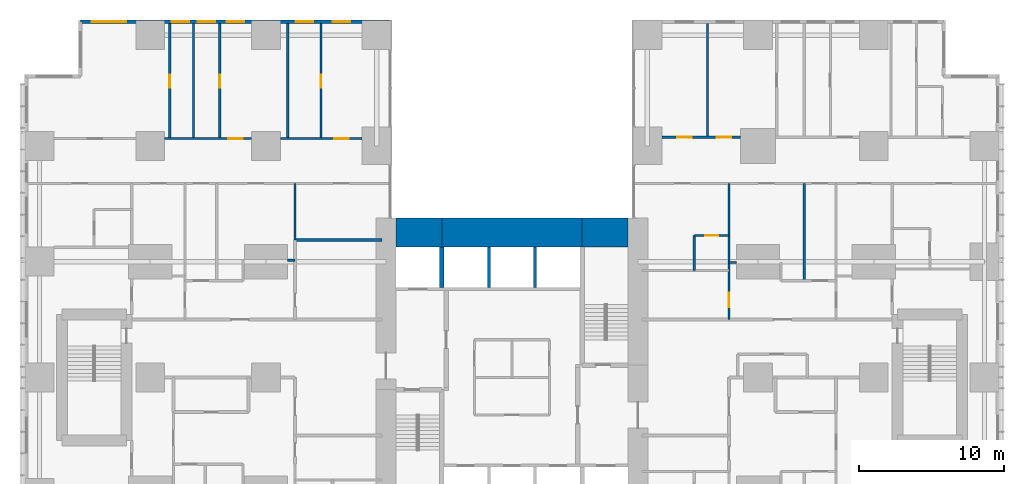
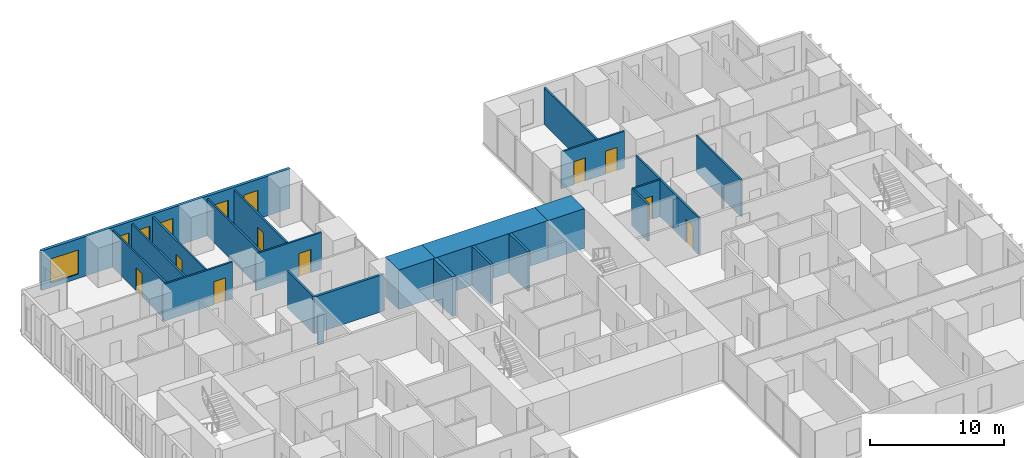
# One storey, part 17 of 20: 24 walls, 9 doors, 6 windows, 15 openings.
"""IFC4 building model written with IfcOpenShell, lengths in metres."""

from ifc_helpers import new_model, si_unit, direction, frame, frame_2d, origin, place, context, subcontext, project, spatial, rectangle, extrude, material, layer, layer_set, type_object, element, fill, save


model = new_model("IFC4")

# Units and contexts
model_context = context("Model", 3, precision=1e-05, world=origin(), true_north=direction((0.0, 1.0)))
body_context = subcontext(model_context, "Body", "Model", "MODEL_VIEW")
ifc_project = project(units=[si_unit("LENGTHUNIT", "METRE"), si_unit("AREAUNIT", "SQUARE_METRE"), si_unit("VOLUMEUNIT", "CUBIC_METRE"), si_unit("PLANEANGLEUNIT", "RADIAN"), si_unit("MASSUNIT", "GRAM", prefix="KILO")], contexts=[model_context])

# Site, building, storey
site_placement = place(None, origin())
site = spatial("IfcSite", under=ifc_project, at=site_placement, CompositionType="ELEMENT")
building_placement = place(site_placement, origin())
building = spatial("IfcBuilding", under=site, at=building_placement, Name="Cleftline Residences", CompositionType="ELEMENT")
storey_placement = place(building_placement, frame((0.0, 0.0, 164.60009765625)))
storey = spatial("IfcBuildingStorey", under=building, at=storey_placement, Name="L43", CompositionType="ELEMENT", Elevation=164.60009765625)

# Walls
ifc_material_1 = material(Name="Concrete B70", Category="concrete")
ifc_layer_1 = layer(ifc_material_1, 2.0)
ifc_layer_set_1 = layer_set([ifc_layer_1], Name="CORE WALL 2000")
wall_type_1 = type_object("IfcWallType", Name="CORE WALL 2000", PredefinedType="SHEAR", material=ifc_layer_set_1)
wall_1_placement = place(storey_placement, frame((25.0, 34.0, 0.0), z_axis=(0.0, 0.0, 1.0), x_axis=(1.0, 0.0, 0.0)))
element("IfcWall", 1, at=wall_1_placement, inside=storey, type_object=wall_type_1, Name="Core wall N1", PredefinedType="SHEAR", context=body_context, shape_type="SweptSolid", body=[
    extrude(rectangle(XDim=3.14990234375, YDim=2.0, at=frame_2d((1.574951171875, 0.0))), origin(), (0.0, 0.0, 1.0), 3.599853515625),
])
wall_2_placement = place(storey_placement, frame((28.14990234375, 34.0, 0.0), z_axis=(0.0, 0.0, 1.0), x_axis=(1.0, 0.0, 0.0)))
element("IfcWall", 2, at=wall_2_placement, inside=storey, type_object=wall_type_1, Name="Core wall N2", PredefinedType="SHEAR", context=body_context, shape_type="SweptSolid", body=[
    extrude(rectangle(XDim=9.7001953125, YDim=2.0, at=frame_2d((4.85009765625, 0.0))), origin(), (0.0, 0.0, 1.0), 3.599853515625),
])
wall_3_placement = place(storey_placement, frame((37.85009765625, 34.0, 0.0), z_axis=(0.0, 0.0, 1.0), x_axis=(1.0, 0.0, 0.0)))
element("IfcWall", 3, at=wall_3_placement, inside=storey, type_object=wall_type_1, Name="Core wall N3", PredefinedType="SHEAR", context=body_context, shape_type="SweptSolid", body=[
    extrude(rectangle(XDim=3.14990234375, YDim=2.0, at=frame_2d((1.574951171875, 0.0))), origin(), (0.0, 0.0, 1.0), 3.599853515625),
])
ifc_material_2 = material(Name="Concrete B70", Category="concrete")
ifc_layer_2 = layer(ifc_material_2, 0.300048828125)
ifc_layer_set_2 = layer_set([ifc_layer_2], Name="CORE WALL 300")
wall_type_2 = type_object("IfcWallType", Name="CORE WALL 300", PredefinedType="SHEAR", material=ifc_layer_set_2)
wall_4_placement = place(storey_placement, frame((28.14990234375, 30.199951171875, 0.0), z_axis=(0.0, 0.0, 1.0), x_axis=(0.0, 1.0, 0.0)))
element("IfcWall", 4, at=wall_4_placement, inside=storey, type_object=wall_type_2, Name="Lift shaft wall", PredefinedType="SHEAR", context=body_context, shape_type="SweptSolid", body=[
    extrude(rectangle(XDim=2.800048828125, YDim=0.300048828125, at=frame_2d((1.39990234375, 0.0))), origin(), (0.0, 0.0, 1.0), 3.599853515625),
])

# Wall, openings, windows
ifc_material_3 = material(Name="Rendered reinforced concrete blockwork", Category="masonry")
ifc_layer_3 = layer(ifc_material_3, 0.25)
ifc_layer_set_3 = layer_set([ifc_layer_3], Name="EXTERNAL WALL 250")
wall_type_3 = type_object("IfcWallType", Name="EXTERNAL WALL 250", PredefinedType="SOLIDWALL", material=ifc_layer_set_3)
wall_5_placement = place(storey_placement, frame((24.574951171875, 48.574951171875, 0.0), z_axis=(0.0, 0.0, 1.0), x_axis=(-1.0, 0.0, 0.0)))
wall_5 = element("IfcWall", 5, at=wall_5_placement, inside=storey, type_object=wall_type_3, Name="External wall", PredefinedType="SOLIDWALL", context=body_context, shape_type="SweptSolid", body=[
    extrude(rectangle(XDim=21.39990234375, YDim=0.25, at=frame_2d((10.699951171875, 0.0))), origin(), (0.0, 0.0, 1.0), 3.599853515625),
])
opening_1_placement = place(wall_5_placement, frame((2.75, 0.0, 0.39990234375)))
opening_1 = element("IfcOpeningElement", 6, at=opening_1_placement, cuts=wall_5, Name="Opening W11", PredefinedType="OPENING", context=body_context, shape_type="SweptSolid", body=[
    extrude(rectangle(XDim=1.199951171875, YDim=2.199951171875, at=frame_2d((0.60009765625, 1.10009765625))), frame((0.0, 0.135009765625, 0.0), z_axis=(0.0, -1.0, 0.0), x_axis=(1.0, 0.0, 0.0)), (0.0, 0.0, 1.0), 0.27001953125),
])
opening_2_placement = place(wall_5_placement, frame((5.324951171875, 0.0, 0.39990234375)))
opening_2 = element("IfcOpeningElement", 7, at=opening_2_placement, cuts=wall_5, Name="Opening W11", PredefinedType="OPENING", context=body_context, shape_type="SweptSolid", body=[
    extrude(rectangle(XDim=1.199951171875, YDim=2.199951171875, at=frame_2d((0.60009765625, 1.10009765625))), frame((0.0, 0.135009765625, 0.0), z_axis=(0.0, -1.0, 0.0), x_axis=(1.0, 0.0, 0.0)), (0.0, 0.0, 1.0), 0.27001953125),
])
opening_3_placement = place(wall_5_placement, frame((10.074951171875, 0.0, 0.39990234375)))
opening_3 = element("IfcOpeningElement", 8, at=opening_3_placement, cuts=wall_5, Name="Opening W11", PredefinedType="OPENING", context=body_context, shape_type="SweptSolid", body=[
    extrude(rectangle(XDim=1.199951171875, YDim=2.199951171875, at=frame_2d((0.60009765625, 1.10009765625))), frame((0.0, 0.135009765625, 0.0), z_axis=(0.0, -1.0, 0.0), x_axis=(1.0, 0.0, 0.0)), (0.0, 0.0, 1.0), 0.27001953125),
])
opening_4_placement = place(wall_5_placement, frame((12.074951171875, 0.0, 0.39990234375)))
opening_4 = element("IfcOpeningElement", 9, at=opening_4_placement, cuts=wall_5, Name="Opening W11", PredefinedType="OPENING", context=body_context, shape_type="SweptSolid", body=[
    extrude(rectangle(XDim=1.199951171875, YDim=2.199951171875, at=frame_2d((0.60009765625, 1.10009765625))), frame((0.0, 0.135009765625, 0.0), z_axis=(0.0, -1.0, 0.0), x_axis=(1.0, 0.0, 0.0)), (0.0, 0.0, 1.0), 0.27001953125),
])
opening_5_placement = place(wall_5_placement, frame((13.875, 0.0, 0.39990234375)))
opening_5 = element("IfcOpeningElement", 10, at=opening_5_placement, cuts=wall_5, Name="Opening W11", PredefinedType="OPENING", context=body_context, shape_type="SweptSolid", body=[
    extrude(rectangle(XDim=1.199951171875, YDim=2.199951171875, at=frame_2d((0.60009765625, 1.10009765625))), frame((0.0, 0.135009765625, 0.0), z_axis=(0.0, -1.0, 0.0), x_axis=(1.0, 0.0, 0.0)), (0.0, 0.0, 1.0), 0.27001953125),
])
opening_6_placement = place(wall_5_placement, frame((18.22509765625, 0.0, 0.39990234375)))
opening_6 = element("IfcOpeningElement", 11, at=opening_6_placement, cuts=wall_5, Name="Opening W12", PredefinedType="OPENING", context=body_context, shape_type="SweptSolid", body=[
    extrude(rectangle(XDim=2.39990234375, YDim=2.199951171875, at=frame_2d((1.199951171875, 1.10009765625))), frame((0.0, 0.135009765625, 0.0), z_axis=(0.0, -1.0, 0.0), x_axis=(1.0, 0.0, 0.0)), (0.0, 0.0, 1.0), 0.27001953125),
])
ifc_material_4 = material(Name="Aluminium frame, clear double glazing", Category="aluminium")
window_type_1 = type_object("IfcWindowType", Name="WINDOW 1200X2200", PartitioningType="DOUBLE_PANEL_VERTICAL", PredefinedType="WINDOW", material=ifc_material_4)
window_1_placement = place(opening_1_placement, origin())
window_1 = element("IfcWindow", 12, at=window_1_placement, inside=storey, type_object=window_type_1, Name="Window", OverallHeight=2.199951171875, OverallWidth=1.199951171875, PartitioningType="SINGLE_PANEL", PredefinedType="WINDOW", context=body_context, shape_type="SweptSolid", body=[
    extrude(rectangle(XDim=1.199951171875, YDim=2.199951171875, at=frame_2d((0.60009765625, 1.10009765625))), frame((0.0, 0.030029296875, 0.0), z_axis=(0.0, -1.0, 0.0), x_axis=(1.0, 0.0, 0.0)), (0.0, 0.0, 1.0), 0.06005859375),
])
fill(opening_1, window_1)
window_2_placement = place(opening_2_placement, origin())
window_2 = element("IfcWindow", 13, at=window_2_placement, inside=storey, type_object=window_type_1, Name="Window", OverallHeight=2.199951171875, OverallWidth=1.199951171875, PartitioningType="SINGLE_PANEL", PredefinedType="WINDOW", context=body_context, shape_type="SweptSolid", body=[
    extrude(rectangle(XDim=1.199951171875, YDim=2.199951171875, at=frame_2d((0.60009765625, 1.10009765625))), frame((0.0, 0.030029296875, 0.0), z_axis=(0.0, -1.0, 0.0), x_axis=(1.0, 0.0, 0.0)), (0.0, 0.0, 1.0), 0.06005859375),
])
fill(opening_2, window_2)
window_3_placement = place(opening_3_placement, origin())
window_3 = element("IfcWindow", 14, at=window_3_placement, inside=storey, type_object=window_type_1, Name="Window", OverallHeight=2.199951171875, OverallWidth=1.199951171875, PartitioningType="SINGLE_PANEL", PredefinedType="WINDOW", context=body_context, shape_type="SweptSolid", body=[
    extrude(rectangle(XDim=1.199951171875, YDim=2.199951171875, at=frame_2d((0.60009765625, 1.10009765625))), frame((0.0, 0.030029296875, 0.0), z_axis=(0.0, -1.0, 0.0), x_axis=(1.0, 0.0, 0.0)), (0.0, 0.0, 1.0), 0.06005859375),
])
fill(opening_3, window_3)
window_4_placement = place(opening_4_placement, origin())
window_4 = element("IfcWindow", 15, at=window_4_placement, inside=storey, type_object=window_type_1, Name="Window", OverallHeight=2.199951171875, OverallWidth=1.199951171875, PartitioningType="SINGLE_PANEL", PredefinedType="WINDOW", context=body_context, shape_type="SweptSolid", body=[
    extrude(rectangle(XDim=1.199951171875, YDim=2.199951171875, at=frame_2d((0.60009765625, 1.10009765625))), frame((0.0, 0.030029296875, 0.0), z_axis=(0.0, -1.0, 0.0), x_axis=(1.0, 0.0, 0.0)), (0.0, 0.0, 1.0), 0.06005859375),
])
fill(opening_4, window_4)
window_5_placement = place(opening_5_placement, origin())
window_5 = element("IfcWindow", 16, at=window_5_placement, inside=storey, type_object=window_type_1, Name="Window", OverallHeight=2.199951171875, OverallWidth=1.199951171875, PartitioningType="SINGLE_PANEL", PredefinedType="WINDOW", context=body_context, shape_type="SweptSolid", body=[
    extrude(rectangle(XDim=1.199951171875, YDim=2.199951171875, at=frame_2d((0.60009765625, 1.10009765625))), frame((0.0, 0.030029296875, 0.0), z_axis=(0.0, -1.0, 0.0), x_axis=(1.0, 0.0, 0.0)), (0.0, 0.0, 1.0), 0.06005859375),
])
fill(opening_5, window_5)
ifc_material_5 = material(Name="Aluminium frame, clear double glazing", Category="aluminium")
window_type_2 = type_object("IfcWindowType", Name="WINDOW 2400X2200", PartitioningType="DOUBLE_PANEL_VERTICAL", PredefinedType="WINDOW", material=ifc_material_5)
window_6_placement = place(opening_6_placement, origin())
window_6 = element("IfcWindow", 17, at=window_6_placement, inside=storey, type_object=window_type_2, Name="Window", OverallHeight=2.199951171875, OverallWidth=2.39990234375, PartitioningType="SINGLE_PANEL", PredefinedType="WINDOW", context=body_context, shape_type="SweptSolid", body=[
    extrude(rectangle(XDim=2.39990234375, YDim=2.199951171875, at=frame_2d((1.199951171875, 1.10009765625))), frame((0.0, 0.030029296875, 0.0), z_axis=(0.0, -1.0, 0.0), x_axis=(1.0, 0.0, 0.0)), (0.0, 0.0, 1.0), 0.06005859375),
])
fill(opening_6, window_6)

# Walls
ifc_material_6 = material(Name="Concrete blockwork, fire rated", Category="masonry")
ifc_layer_4 = layer(ifc_material_6, 0.199951171875)
ifc_layer_set_4 = layer_set([ifc_layer_4], Name="FIRE WALL 200")
wall_type_4 = type_object("IfcWallType", Name="FIRE WALL 200", PredefinedType="PARTITIONING", material=ifc_layer_set_4)
wall_6_placement = place(storey_placement, frame((18.0, 33.5, 0.0), z_axis=(0.0, 0.0, 1.0), x_axis=(1.0, 0.0, 0.0)))
element("IfcWall", 18, at=wall_6_placement, inside=storey, type_object=wall_type_4, Name="Fire separating wall", PredefinedType="PARTITIONING", context=body_context, shape_type="SweptSolid", body=[
    extrude(rectangle(XDim=6.0, YDim=0.199951171875, at=frame_2d((3.0, 0.0))), origin(), (0.0, 0.0, 1.0), 3.349853515625),
])
ifc_material_7 = material(Name="Gypsum board on steel studs", Category="steel")
ifc_layer_5 = layer(ifc_material_7, 0.14990234375)
ifc_layer_set_5 = layer_set([ifc_layer_5], Name="PARTITION 150")
wall_type_5 = type_object("IfcWallType", Name="PARTITION 150", PredefinedType="PARTITIONING", material=ifc_layer_set_5)
for number, where, z_axis, x_axis, name in (
    (19, (48.0, 31.949951171875, 0.0), (0.0, 0.0, 1.0), (1.0, 0.0, 0.0), "Partition"),
    (20, (17.5, 32.10009765625, 0.0), (0.0, 0.0, 1.0), (1.0, 0.0, 0.0), "Partition"),
):
    element("IfcWall", number, at=place(storey_placement, frame(where, z_axis=z_axis, x_axis=x_axis)), inside=storey, type_object=wall_type_5, Name=name, PredefinedType="PARTITIONING", context=body_context, shape_type="SweptSolid", body=[
        extrude(rectangle(XDim=0.5, YDim=0.14990234375, at=frame_2d((0.25, 0.0))), origin(), (0.0, 0.0, 1.0), 2.6337890625),
    ])

# Wall, opening, door
wall_7_placement = place(storey_placement, frame((45.60009765625, 33.800048828125, 0.0), z_axis=(0.0, 0.0, 1.0), x_axis=(1.0, 0.0, 0.0)))
wall_7 = element("IfcWall", 21, at=wall_7_placement, inside=storey, type_object=wall_type_5, Name="Partition", PredefinedType="PARTITIONING", context=body_context, shape_type="SweptSolid", body=[
    extrude(rectangle(XDim=2.39990234375, YDim=0.14990234375, at=frame_2d((1.199951171875, 0.0))), origin(), (0.0, 0.0, 1.0), 3.349853515625),
])
opening_7_placement = place(wall_7_placement, frame((0.75, 0.0, 0.0)))
opening_7 = element("IfcOpeningElement", 22, at=opening_7_placement, cuts=wall_7, Name="Opening D1", PredefinedType="OPENING", context=body_context, shape_type="SweptSolid", body=[
    extrude(rectangle(XDim=0.89990234375, YDim=2.10009765625, at=frame_2d((0.449951171875, 1.050048828125))), frame((0.0, 0.0849609375, 0.0), z_axis=(0.0, -1.0, 0.0), x_axis=(1.0, 0.0, 0.0)), (0.0, 0.0, 1.0), 0.169921875),
])
ifc_material_8 = material(Name="Timber veneer on solid core", Category="wood")
door_type_1 = type_object("IfcDoorType", Name="DOOR 900X2100", OperationType="SINGLE_SWING_LEFT", PredefinedType="DOOR", material=ifc_material_8)
door_1_placement = place(opening_7_placement, origin())
door_1 = element("IfcDoor", 23, at=door_1_placement, inside=storey, type_object=door_type_1, Name="Door to staff shower room", OperationType="SINGLE_SWING_LEFT", OverallHeight=2.10009765625, OverallWidth=0.89990234375, PredefinedType="DOOR", context=body_context, shape_type="SweptSolid", body=[
    extrude(rectangle(XDim=0.89990234375, YDim=2.10009765625, at=frame_2d((0.449951171875, 1.050048828125))), frame((0.0, 0.02490234375, 0.0), z_axis=(0.0, -1.0, 0.0), x_axis=(1.0, 0.0, 0.0)), (0.0, 0.0, 1.0), 0.050048828125),
])
fill(opening_7, door_1)

wall_8_placement = place(storey_placement, frame((9.0, 40.5, 0.0), z_axis=(0.0, 0.0, 1.0), x_axis=(1.0, 0.0, 0.0)))
wall_8 = element("IfcWall", 24, at=wall_8_placement, inside=storey, type_object=wall_type_5, Name="Partition", PredefinedType="PARTITIONING", context=body_context, shape_type="SweptSolid", body=[
    extrude(rectangle(XDim=6.0, YDim=0.14990234375, at=frame_2d((3.0, 0.0))), origin(), (0.0, 0.0, 1.0), 3.349853515625),
])
opening_8_placement = place(wall_8_placement, frame((4.39990234375, 0.0, 0.0)))
opening_8 = element("IfcOpeningElement", 25, at=opening_8_placement, cuts=wall_8, Name="Opening D2", PredefinedType="OPENING", context=body_context, shape_type="SweptSolid", body=[
    extrude(rectangle(XDim=1.0, YDim=2.10009765625, at=frame_2d((0.5, 1.050048828125))), frame((0.0, 0.0849609375, 0.0), z_axis=(0.0, -1.0, 0.0), x_axis=(1.0, 0.0, 0.0)), (0.0, 0.0, 1.0), 0.169921875),
])
ifc_material_9 = material(Name="Timber veneer on solid core", Category="wood")
door_type_2 = type_object("IfcDoorType", Name="DOOR 1000X2100", OperationType="SINGLE_SWING_LEFT", PredefinedType="DOOR", material=ifc_material_9)
door_2_placement = place(opening_8_placement, origin())
door_2 = element("IfcDoor", 26, at=door_2_placement, inside=storey, type_object=door_type_2, Name="Door to bedroom 2", OperationType="SINGLE_SWING_LEFT", OverallHeight=2.10009765625, OverallWidth=1.0, PredefinedType="DOOR", context=body_context, shape_type="SweptSolid", body=[
    extrude(rectangle(XDim=1.0, YDim=2.10009765625, at=frame_2d((0.5, 1.050048828125))), frame((0.0, 0.02490234375, 0.0), z_axis=(0.0, -1.0, 0.0), x_axis=(1.0, 0.0, 0.0)), (0.0, 0.0, 1.0), 0.050048828125),
])
fill(opening_8, door_2)

wall_9_placement = place(storey_placement, frame((17.0, 40.5, 0.0), z_axis=(0.0, 0.0, 1.0), x_axis=(1.0, 0.0, 0.0)))
wall_9 = element("IfcWall", 27, at=wall_9_placement, inside=storey, type_object=wall_type_5, Name="Partition", PredefinedType="PARTITIONING", context=body_context, shape_type="SweptSolid", body=[
    extrude(rectangle(XDim=5.64990234375, YDim=0.14990234375, at=frame_2d((2.824951171875, 0.0))), origin(), (0.0, 0.0, 1.0), 3.349853515625),
])
opening_9_placement = place(wall_9_placement, frame((3.72509765625, 0.0, 0.0)))
opening_9 = element("IfcOpeningElement", 28, at=opening_9_placement, cuts=wall_9, Name="Opening D2", PredefinedType="OPENING", context=body_context, shape_type="SweptSolid", body=[
    extrude(rectangle(XDim=1.0, YDim=2.10009765625, at=frame_2d((0.5, 1.050048828125))), frame((0.0, 0.0849609375, 0.0), z_axis=(0.0, -1.0, 0.0), x_axis=(1.0, 0.0, 0.0)), (0.0, 0.0, 1.0), 0.169921875),
])
door_3_placement = place(opening_9_placement, origin())
door_3 = element("IfcDoor", 29, at=door_3_placement, inside=storey, type_object=door_type_2, Name="Door to bedroom 3", OperationType="SINGLE_SWING_LEFT", OverallHeight=2.10009765625, OverallWidth=1.0, PredefinedType="DOOR", context=body_context, shape_type="SweptSolid", body=[
    extrude(rectangle(XDim=1.0, YDim=2.10009765625, at=frame_2d((0.5, 1.050048828125))), frame((0.0, 0.02490234375, 0.0), z_axis=(0.0, -1.0, 0.0), x_axis=(1.0, 0.0, 0.0)), (0.0, 0.0, 1.0), 0.050048828125),
])
fill(opening_9, door_3)

# Wall, openings, doors
wall_10_placement = place(storey_placement, frame((43.35009765625, 40.60009765625, 0.0), z_axis=(0.0, 0.0, 1.0), x_axis=(1.0, 0.0, 0.0)))
wall_10 = element("IfcWall", 30, at=wall_10_placement, inside=storey, type_object=wall_type_5, Name="Partition", PredefinedType="PARTITIONING", context=body_context, shape_type="SweptSolid", body=[
    extrude(rectangle(XDim=5.449951171875, YDim=0.14990234375, at=frame_2d((2.72509765625, 0.0))), origin(), (0.0, 0.0, 1.0), 3.349853515625),
])
opening_10_placement = place(wall_10_placement, frame((3.800048828125, 0.0, 0.0)))
opening_10 = element("IfcOpeningElement", 31, at=opening_10_placement, cuts=wall_10, Name="Opening D2", PredefinedType="OPENING", context=body_context, shape_type="SweptSolid", body=[
    extrude(rectangle(XDim=1.0, YDim=2.10009765625, at=frame_2d((0.5, 1.050048828125))), frame((0.0, 0.0849609375, 0.0), z_axis=(0.0, -1.0, 0.0), x_axis=(1.0, 0.0, 0.0)), (0.0, 0.0, 1.0), 0.169921875),
])
opening_11_placement = place(wall_10_placement, frame((1.074951171875, 0.0, 0.0)))
opening_11 = element("IfcOpeningElement", 32, at=opening_11_placement, cuts=wall_10, Name="Opening D2", PredefinedType="OPENING", context=body_context, shape_type="SweptSolid", body=[
    extrude(rectangle(XDim=1.0, YDim=2.10009765625, at=frame_2d((0.5, 1.050048828125))), frame((0.0, 0.0849609375, 0.0), z_axis=(0.0, -1.0, 0.0), x_axis=(1.0, 0.0, 0.0)), (0.0, 0.0, 1.0), 0.169921875),
])
door_4_placement = place(opening_10_placement, origin())
door_4 = element("IfcDoor", 33, at=door_4_placement, inside=storey, type_object=door_type_2, Name="Door to bedroom 4", OperationType="SINGLE_SWING_LEFT", OverallHeight=2.10009765625, OverallWidth=1.0, PredefinedType="DOOR", context=body_context, shape_type="SweptSolid", body=[
    extrude(rectangle(XDim=1.0, YDim=2.10009765625, at=frame_2d((0.5, 1.050048828125))), frame((0.0, 0.02490234375, 0.0), z_axis=(0.0, -1.0, 0.0), x_axis=(1.0, 0.0, 0.0)), (0.0, 0.0, 1.0), 0.050048828125),
])
fill(opening_10, door_4)
door_5_placement = place(opening_11_placement, origin())
door_5 = element("IfcDoor", 34, at=door_5_placement, inside=storey, type_object=door_type_2, Name="Door to bedroom 4 sitting room", OperationType="SINGLE_SWING_RIGHT", OverallHeight=2.10009765625, OverallWidth=1.0, PredefinedType="DOOR", context=body_context, shape_type="SweptSolid", body=[
    extrude(rectangle(XDim=1.0, YDim=2.10009765625, at=frame_2d((0.5, 1.050048828125))), frame((0.0, 0.02490234375, 0.0), z_axis=(0.0, -1.0, 0.0), x_axis=(1.0, 0.0, 0.0)), (0.0, 0.0, 1.0), 0.050048828125),
])
fill(opening_11, door_5)

# Wall, opening, door
wall_11_placement = place(storey_placement, frame((9.35009765625, 40.5, 0.0), z_axis=(0.0, 0.0, 1.0), x_axis=(0.0, 1.0, 0.0)))
wall_11 = element("IfcWall", 35, at=wall_11_placement, inside=storey, type_object=wall_type_5, Name="Partition", PredefinedType="PARTITIONING", context=body_context, shape_type="SweptSolid", body=[
    extrude(rectangle(XDim=7.949951171875, YDim=0.14990234375, at=frame_2d((3.97509765625, 0.0))), origin(), (0.0, 0.0, 1.0), 3.349853515625),
])
opening_12_placement = place(wall_11_placement, frame((3.52490234375, 0.0, 0.0)))
opening_12 = element("IfcOpeningElement", 36, at=opening_12_placement, cuts=wall_11, Name="Opening D1", PredefinedType="OPENING", context=body_context, shape_type="SweptSolid", body=[
    extrude(rectangle(XDim=0.89990234375, YDim=2.10009765625, at=frame_2d((0.449951171875, 1.050048828125))), frame((0.0, 0.0849609375, 0.0), z_axis=(0.0, -1.0, 0.0), x_axis=(1.0, 0.0, 0.0)), (0.0, 0.0, 1.0), 0.169921875),
])
door_6_placement = place(opening_12_placement, origin())
door_6 = element("IfcDoor", 37, at=door_6_placement, inside=storey, type_object=door_type_1, Name="Door to store room", OperationType="SINGLE_SWING_LEFT", OverallHeight=2.10009765625, OverallWidth=0.89990234375, PredefinedType="DOOR", context=body_context, shape_type="SweptSolid", body=[
    extrude(rectangle(XDim=0.89990234375, YDim=2.10009765625, at=frame_2d((0.449951171875, 1.050048828125))), frame((0.0, 0.02490234375, 0.0), z_axis=(0.0, -1.0, 0.0), x_axis=(1.0, 0.0, 0.0)), (0.0, 0.0, 1.0), 0.050048828125),
])
fill(opening_12, door_6)

# Wall
wall_12_placement = place(storey_placement, frame((11.0, 40.5, 0.0), z_axis=(0.0, 0.0, 1.0), x_axis=(0.0, 1.0, 0.0)))
element("IfcWall", 38, at=wall_12_placement, inside=storey, type_object=wall_type_5, Name="Partition", PredefinedType="PARTITIONING", context=body_context, shape_type="SweptSolid", body=[
    extrude(rectangle(XDim=7.949951171875, YDim=0.14990234375, at=frame_2d((3.97509765625, 0.0))), origin(), (0.0, 0.0, 1.0), 3.349853515625),
])

# Wall, opening, door
wall_13_placement = place(storey_placement, frame((12.800048828125, 40.5, 0.0), z_axis=(0.0, 0.0, 1.0), x_axis=(0.0, 1.0, 0.0)))
wall_13 = element("IfcWall", 39, at=wall_13_placement, inside=storey, type_object=wall_type_5, Name="Partition", PredefinedType="PARTITIONING", context=body_context, shape_type="SweptSolid", body=[
    extrude(rectangle(XDim=7.949951171875, YDim=0.14990234375, at=frame_2d((3.97509765625, 0.0))), origin(), (0.0, 0.0, 1.0), 3.349853515625),
])
opening_13_placement = place(wall_13_placement, frame((3.52490234375, 0.0, 0.0)))
opening_13 = element("IfcOpeningElement", 40, at=opening_13_placement, cuts=wall_13, Name="Opening D1", PredefinedType="OPENING", context=body_context, shape_type="SweptSolid", body=[
    extrude(rectangle(XDim=0.89990234375, YDim=2.10009765625, at=frame_2d((0.449951171875, 1.050048828125))), frame((0.0, 0.0849609375, 0.0), z_axis=(0.0, -1.0, 0.0), x_axis=(1.0, 0.0, 0.0)), (0.0, 0.0, 1.0), 0.169921875),
])
door_7_placement = place(opening_13_placement, origin())
door_7 = element("IfcDoor", 41, at=door_7_placement, inside=storey, type_object=door_type_1, Name="Door to en-suite bathroom 2", OperationType="SINGLE_SWING_LEFT", OverallHeight=2.10009765625, OverallWidth=0.89990234375, PredefinedType="DOOR", context=body_context, shape_type="SweptSolid", body=[
    extrude(rectangle(XDim=0.89990234375, YDim=2.10009765625, at=frame_2d((0.449951171875, 1.050048828125))), frame((0.0, 0.02490234375, 0.0), z_axis=(0.0, -1.0, 0.0), x_axis=(1.0, 0.0, 0.0)), (0.0, 0.0, 1.0), 0.050048828125),
])
fill(opening_13, door_7)

# Walls
wall_14_placement = place(storey_placement, frame((17.5, 40.5, 0.0), z_axis=(0.0, 0.0, 1.0), x_axis=(0.0, 1.0, 0.0)))
element("IfcWall", 42, at=wall_14_placement, inside=storey, type_object=wall_type_5, Name="Partition", PredefinedType="PARTITIONING", context=body_context, shape_type="SweptSolid", body=[
    extrude(rectangle(XDim=7.949951171875, YDim=0.14990234375, at=frame_2d((3.97509765625, 0.0))), origin(), (0.0, 0.0, 1.0), 3.349853515625),
])
wall_15_placement = place(storey_placement, frame((18.0, 33.5, 0.0), z_axis=(0.0, 0.0, 1.0), x_axis=(0.0, 1.0, 0.0)))
element("IfcWall", 43, at=wall_15_placement, inside=storey, type_object=wall_type_5, Name="Partition", PredefinedType="PARTITIONING", context=body_context, shape_type="SweptSolid", body=[
    extrude(rectangle(XDim=3.89990234375, YDim=0.14990234375, at=frame_2d((1.949951171875, 0.0))), origin(), (0.0, 0.0, 1.0), 3.349853515625),
])

# Wall, opening, door
wall_16_placement = place(storey_placement, frame((19.800048828125, 40.5, 0.0), z_axis=(0.0, 0.0, 1.0), x_axis=(0.0, 1.0, 0.0)))
wall_16 = element("IfcWall", 44, at=wall_16_placement, inside=storey, type_object=wall_type_5, Name="Partition", PredefinedType="PARTITIONING", context=body_context, shape_type="SweptSolid", body=[
    extrude(rectangle(XDim=7.949951171875, YDim=0.14990234375, at=frame_2d((3.97509765625, 0.0))), origin(), (0.0, 0.0, 1.0), 3.349853515625),
])
opening_14_placement = place(wall_16_placement, frame((3.52490234375, 0.0, 0.0)))
opening_14 = element("IfcOpeningElement", 45, at=opening_14_placement, cuts=wall_16, Name="Opening D1", PredefinedType="OPENING", context=body_context, shape_type="SweptSolid", body=[
    extrude(rectangle(XDim=0.89990234375, YDim=2.10009765625, at=frame_2d((0.449951171875, 1.050048828125))), frame((0.0, 0.0849609375, 0.0), z_axis=(0.0, -1.0, 0.0), x_axis=(1.0, 0.0, 0.0)), (0.0, 0.0, 1.0), 0.169921875),
])
door_8_placement = place(opening_14_placement, origin())
door_8 = element("IfcDoor", 46, at=door_8_placement, inside=storey, type_object=door_type_1, Name="Door to en-suite bathroom 3", OperationType="SINGLE_SWING_LEFT", OverallHeight=2.10009765625, OverallWidth=0.89990234375, PredefinedType="DOOR", context=body_context, shape_type="SweptSolid", body=[
    extrude(rectangle(XDim=0.89990234375, YDim=2.10009765625, at=frame_2d((0.449951171875, 1.050048828125))), frame((0.0, 0.02490234375, 0.0), z_axis=(0.0, -1.0, 0.0), x_axis=(1.0, 0.0, 0.0)), (0.0, 0.0, 1.0), 0.050048828125),
])
fill(opening_14, door_8)

# Walls
wall_17_placement = place(storey_placement, frame((45.60009765625, 31.39990234375, 0.0), z_axis=(0.0, 0.0, 1.0), x_axis=(0.0, 1.0, 0.0)))
element("IfcWall", 47, at=wall_17_placement, inside=storey, type_object=wall_type_5, Name="Partition", PredefinedType="PARTITIONING", context=body_context, shape_type="SweptSolid", body=[
    extrude(rectangle(XDim=2.400146484375, YDim=0.14990234375, at=frame_2d((1.2001953125, 0.0))), origin(), (0.0, 0.0, 1.0), 3.349853515625),
])
wall_18_placement = place(storey_placement, frame((46.5, 40.60009765625, 0.0), z_axis=(0.0, 0.0, 1.0), x_axis=(0.0, 1.0, 0.0)))
element("IfcWall", 48, at=wall_18_placement, inside=storey, type_object=wall_type_5, Name="Partition", PredefinedType="PARTITIONING", context=body_context, shape_type="SweptSolid", body=[
    extrude(rectangle(XDim=7.849853515625, YDim=0.14990234375, at=frame_2d((3.9248046875, 0.0))), origin(), (0.0, 0.0, 1.0), 3.349853515625),
])

# Wall, opening, door
wall_19_placement = place(storey_placement, frame((48.0, 28.0, 0.0), z_axis=(0.0, 0.0, 1.0), x_axis=(0.0, 1.0, 0.0)))
wall_19 = element("IfcWall", 49, at=wall_19_placement, inside=storey, type_object=wall_type_5, Name="Partition", PredefinedType="PARTITIONING", context=body_context, shape_type="SweptSolid", body=[
    extrude(rectangle(XDim=9.39990234375, YDim=0.14990234375, at=frame_2d((4.699951171875, 0.0))), origin(), (0.0, 0.0, 1.0), 3.349853515625),
])
opening_15_placement = place(wall_19_placement, frame((0.83740234375, 0.0, 0.0)))
opening_15 = element("IfcOpeningElement", 50, at=opening_15_placement, cuts=wall_19, Name="Opening D2", PredefinedType="OPENING", context=body_context, shape_type="SweptSolid", body=[
    extrude(rectangle(XDim=1.0, YDim=2.10009765625, at=frame_2d((0.5, 1.050048828125))), frame((0.0, 0.0849609375, 0.0), z_axis=(0.0, -1.0, 0.0), x_axis=(1.0, 0.0, 0.0)), (0.0, 0.0, 1.0), 0.169921875),
])
door_9_placement = place(opening_15_placement, origin())
door_9 = element("IfcDoor", 51, at=door_9_placement, inside=storey, type_object=door_type_2, Name="Door to morning kitchen", OperationType="SINGLE_SWING_RIGHT", OverallHeight=2.10009765625, OverallWidth=1.0, PredefinedType="DOOR", context=body_context, shape_type="SweptSolid", body=[
    extrude(rectangle(XDim=1.0, YDim=2.10009765625, at=frame_2d((0.5, 1.050048828125))), frame((0.0, 0.02490234375, 0.0), z_axis=(0.0, -1.0, 0.0), x_axis=(1.0, 0.0, 0.0)), (0.0, 0.0, 1.0), 0.050048828125),
])
fill(opening_15, door_9)

# Walls
wall_20_placement = place(storey_placement, frame((53.199951171875, 30.675048828125, 0.0), z_axis=(0.0, 0.0, 1.0), x_axis=(0.0, 1.0, 0.0)))
element("IfcWall", 52, at=wall_20_placement, inside=storey, type_object=wall_type_5, Name="Partition", PredefinedType="PARTITIONING", context=body_context, shape_type="SweptSolid", body=[
    extrude(rectangle(XDim=6.724853515625, YDim=0.14990234375, at=frame_2d((3.3623046875, 0.0))), origin(), (0.0, 0.0, 1.0), 3.349853515625),
])
ifc_material_10 = material(Name="Concrete blockwork, fire rated", Category="masonry")
ifc_layer_6 = layer(ifc_material_10, 0.199951171875)
ifc_layer_set_6 = layer_set([ifc_layer_6], Name="SHAFT WALL 200")
wall_type_6 = type_object("IfcWallType", Name="SHAFT WALL 200", PredefinedType="PARTITIONING", material=ifc_layer_set_6)
for number, where, z_axis, x_axis, name in (
    (53, (31.39990234375, 30.199951171875, 0.0), (0.0, 0.0, 1.0), (0.0, 1.0, 0.0), "Lift shaft wall"),
    (54, (34.60009765625, 30.199951171875, 0.0), (0.0, 0.0, 1.0), (0.0, 1.0, 0.0), "Lift shaft wall"),
):
    element("IfcWall", number, at=place(storey_placement, frame(where, z_axis=z_axis, x_axis=x_axis)), inside=storey, type_object=wall_type_6, Name=name, PredefinedType="PARTITIONING", context=body_context, shape_type="SweptSolid", body=[
        extrude(rectangle(XDim=2.800048828125, YDim=0.199951171875, at=frame_2d((1.39990234375, 0.0))), origin(), (0.0, 0.0, 1.0), 3.599853515625),
    ])

save(model, "model.ifc")
